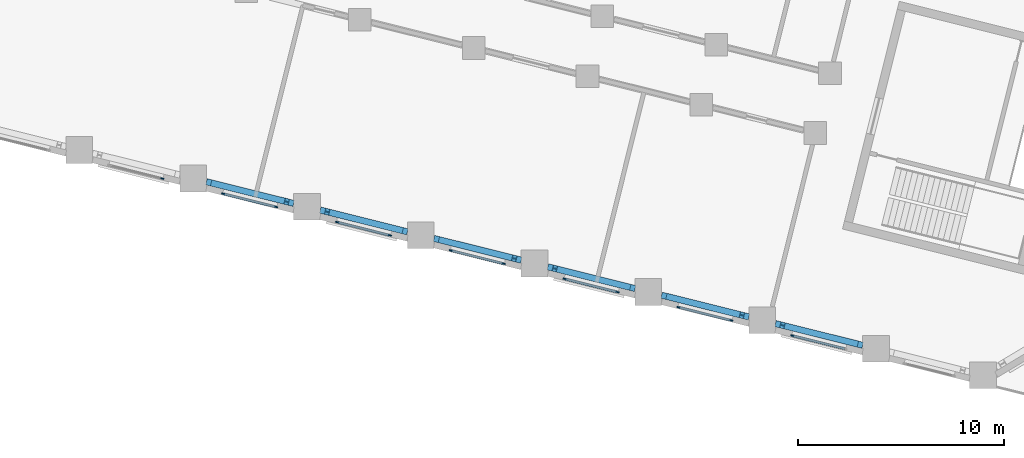
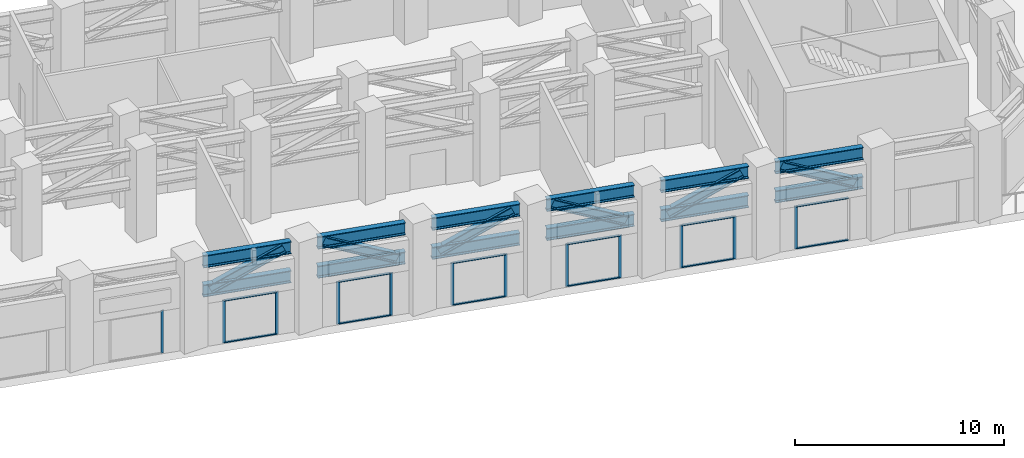
# One storey, part 4 of 21: 30 members, 12 beams, 7 elements without a shape of their own.
"""IFC4 building model written with IfcOpenShell, lengths in metres."""

from ifc_helpers import new_model, si_unit, direction, frame, origin, origin_2d, place, context, subcontext, project, spatial, rectangle, i_section, extrude, material, material_profile, profile_set, type_object, element, aggregate, save


model = new_model("IFC4")

# Units and contexts
model_context = context("Model", 3, precision=1e-05, world=origin(), true_north=direction((0.0, 1.0)))
body_context = subcontext(model_context, "Body", "Model", "MODEL_VIEW")
ifc_project = project(units=[si_unit("LENGTHUNIT", "METRE"), si_unit("AREAUNIT", "SQUARE_METRE"), si_unit("VOLUMEUNIT", "CUBIC_METRE"), si_unit("PLANEANGLEUNIT", "RADIAN"), si_unit("MASSUNIT", "GRAM", prefix="KILO")], contexts=[model_context])

# Site, building, storey
site_placement = place(None, origin())
site = spatial("IfcSite", under=ifc_project, at=site_placement, CompositionType="ELEMENT")
building_placement = place(site_placement, origin())
building = spatial("IfcBuilding", under=site, at=building_placement, Name="Meshkara Civic Tower", CompositionType="ELEMENT")
storey_placement = place(building_placement, frame((0.0, 0.0, 156.0)))
storey = spatial("IfcBuildingStorey", under=building, at=storey_placement, Name="L35", CompositionType="ELEMENT", Elevation=156.0)

# Beams
ifc_material_1 = material(Name="Steel S355", Category="steel")
ifc_material_profile_1 = material_profile(ifc_material_1, i_section(OverallWidth=0.303955078125, OverallDepth=0.716064453125, WebThickness=0.02099609375, FlangeThickness=0.0400390625, FilletRadius=0.027099609375, at=origin_2d()))
ifc_profile_set_1 = profile_set([ifc_material_profile_1], Name="Steel S355")
beam_type = type_object("IfcBeamType", Name="Belt truss chord HEM 700 S355", PredefinedType="BEAM", material=ifc_profile_set_1)
for number, where, z_axis, x_axis, name in (
    (1, (34.088134765625, -8.03564453125, 4.741943359375), (0.97033279054, -0.241773190412, 0.0), (0.241773190412, 0.97033279054, 0.0), "Belt truss chord BBS03-BS04-P1"),
    (2, (34.088134765625, -8.03564453125, 3.0419921875), (0.97033279054, -0.241773190412, 0.0), (0.241773190412, 0.97033279054, 0.0), "Belt truss chord BBS03-BS04-P1"),
):
    element("IfcBeam", number, at=place(storey_placement, frame(where, z_axis=z_axis, x_axis=x_axis)), inside=storey, type_object=beam_type, Name=name, PredefinedType="BEAM", context=body_context, shape_type="SweptSolid", body=[
        extrude(i_section(OverallWidth=0.303955078125, OverallDepth=0.716064453125, WebThickness=0.02099609375, FlangeThickness=0.0400390625, FilletRadius=0.027099609375, at=origin_2d()), origin(), (0.0, 0.0, 1.0), 4.370361328125),
    ])
for number, where, z_axis, x_axis, name in (
    (3, (39.619140625, -9.413818359375, 4.741943359375), (0.970293463154, -0.241930972304, 0.0), (0.241930972304, 0.970293463154, 0.0), "Belt truss chord BBS04-P1-BS05"),
    (4, (39.619140625, -9.413818359375, 3.0419921875), (0.970293463154, -0.241930972304, 0.0), (0.241930972304, 0.970293463154, 0.0), "Belt truss chord BBS04-P1-BS05"),
):
    element("IfcBeam", number, at=place(storey_placement, frame(where, z_axis=z_axis, x_axis=x_axis)), inside=storey, type_object=beam_type, Name=name, PredefinedType="BEAM", context=body_context, shape_type="SweptSolid", body=[
        extrude(i_section(OverallWidth=0.303955078125, OverallDepth=0.716064453125, WebThickness=0.02099609375, FlangeThickness=0.0400390625, FilletRadius=0.027099609375, at=origin_2d()), origin(), (0.0, 0.0, 1.0), 4.37060546875),
    ])
for number, where, z_axis, x_axis, name in (
    (5, (45.150146484375, -10.79296875, 4.741943359375), (0.970293497888, -0.241930832999, 0.0), (0.241930832999, 0.970293497888, 0.0), "Belt truss chord BBS05-BS06"),
    (6, (45.150146484375, -10.79296875, 3.0419921875), (0.970293497888, -0.241930832999, 0.0), (0.241930832999, 0.970293497888, 0.0), "Belt truss chord BBS05-BS06"),
):
    element("IfcBeam", number, at=place(storey_placement, frame(where, z_axis=z_axis, x_axis=x_axis)), inside=storey, type_object=beam_type, Name=name, PredefinedType="BEAM", context=body_context, shape_type="SweptSolid", body=[
        extrude(i_section(OverallWidth=0.303955078125, OverallDepth=0.716064453125, WebThickness=0.02099609375, FlangeThickness=0.0400390625, FilletRadius=0.027099609375, at=origin_2d()), origin(), (0.0, 0.0, 1.0), 4.36962890625),
    ])
for number, where, z_axis, x_axis, name in (
    (7, (50.68017578125, -12.171875, 4.741943359375), (0.970293463154, -0.241930972304, 0.0), (0.241930972304, 0.970293463154, 0.0), "Belt truss chord BBS06-BS07"),
    (8, (50.68017578125, -12.171875, 3.0419921875), (0.970293463154, -0.241930972304, 0.0), (0.241930972304, 0.970293463154, 0.0), "Belt truss chord BBS06-BS07"),
    (9, (56.211181640625, -13.55078125, 4.741943359375), (0.970293463154, -0.241930972304, 0.0), (0.241930972304, 0.970293463154, 0.0), "Belt truss chord BBS07-BS08"),
    (10, (56.211181640625, -13.55078125, 3.0419921875), (0.970293463154, -0.241930972304, 0.0), (0.241930972304, 0.970293463154, 0.0), "Belt truss chord BBS07-BS08"),
):
    element("IfcBeam", number, at=place(storey_placement, frame(where, z_axis=z_axis, x_axis=x_axis)), inside=storey, type_object=beam_type, Name=name, PredefinedType="BEAM", context=body_context, shape_type="SweptSolid", body=[
        extrude(i_section(OverallWidth=0.303955078125, OverallDepth=0.716064453125, WebThickness=0.02099609375, FlangeThickness=0.0400390625, FilletRadius=0.027099609375, at=origin_2d()), origin(), (0.0, 0.0, 1.0), 4.37060546875),
    ])
for number, where, z_axis, x_axis, name in (
    (11, (61.7421875, -14.929931640625, 4.741943359375), (0.970293497888, -0.241930832999, 0.0), (0.241930832999, 0.970293497888, 0.0), "Belt truss chord BBS08-BS09"),
    (12, (61.7421875, -14.929931640625, 3.0419921875), (0.970293497888, -0.241930832999, 0.0), (0.241930832999, 0.970293497888, 0.0), "Belt truss chord BBS08-BS09"),
):
    element("IfcBeam", number, at=place(storey_placement, frame(where, z_axis=z_axis, x_axis=x_axis)), inside=storey, type_object=beam_type, Name=name, PredefinedType="BEAM", context=body_context, shape_type="SweptSolid", body=[
        extrude(i_section(OverallWidth=0.303955078125, OverallDepth=0.716064453125, WebThickness=0.02099609375, FlangeThickness=0.0400390625, FilletRadius=0.027099609375, at=origin_2d()), origin(), (0.0, 0.0, 1.0), 4.36962890625),
    ])

# Curtain wall, member
ifc_material_2 = material(Name="Tinted double glazing", Category="glass")
curtain_wall_type = type_object("IfcCurtainWallType", Name="CW SKY LOBBY BAND", PredefinedType="NOTDEFINED", material=ifc_material_2)
curtain_wall_1_placement = place(storey_placement, origin())
curtain_wall_1 = element("IfcCurtainWall", 13, at=curtain_wall_1_placement, inside=storey, type_object=curtain_wall_type, Name="Curtain wall CW2", PredefinedType="NOTDEFINED")
ifc_material_3 = material(Name="Bronze anodised aluminium", Category="aluminium")
ifc_material_profile_2 = material_profile(ifc_material_3, rectangle(XDim=0.06005859375, YDim=0.159912109375, at=origin_2d()))
ifc_profile_set_2 = profile_set([ifc_material_profile_2], Name="Bronze anodised aluminium")
member_type_1 = type_object("IfcMemberType", Name="CW MULLION 60x160", PredefinedType="MULLION", material=ifc_profile_set_2)
member_1_placement = place(storey_placement, frame((31.94580078125, -7.8828125, 0.0), z_axis=(0.0, 0.0, 1.0), x_axis=(0.242101415994, 0.970250949174, 0.0)))
member_1 = element("IfcMember", 14, at=member_1_placement, type_object=member_type_1, Name="CW2 mullion 2", PredefinedType="MULLION", context=body_context, shape_type="SweptSolid", body=[
    extrude(rectangle(XDim=0.06005859375, YDim=0.159912109375, at=origin_2d()), origin(), (0.0, 0.0, 1.0), 2.5),
])
aggregate(curtain_wall_1, [member_1])

# Curtain wall, members
curtain_wall_2_placement = place(storey_placement, origin())
curtain_wall_2 = element("IfcCurtainWall", 15, at=curtain_wall_2_placement, inside=storey, type_object=curtain_wall_type, Name="Curtain wall CW2", PredefinedType="NOTDEFINED")
member_2_placement = place(storey_placement, frame((34.906005859375, -8.620361328125, 0.0), z_axis=(0.0, 0.0, 1.0), x_axis=(0.242101415994, 0.970250949174, 0.0)))
member_2 = element("IfcMember", 16, at=member_2_placement, type_object=member_type_1, Name="CW2 mullion 1", PredefinedType="MULLION", context=body_context, shape_type="SweptSolid", body=[
    extrude(rectangle(XDim=0.06005859375, YDim=0.159912109375, at=origin_2d()), origin(), (0.0, 0.0, 1.0), 2.5),
])
member_3_placement = place(storey_placement, frame((37.476806640625, -9.26171875, 0.0), z_axis=(0.0, 0.0, 1.0), x_axis=(0.242101415994, 0.970250949174, 0.0)))
member_3 = element("IfcMember", 17, at=member_3_placement, type_object=member_type_1, Name="CW2 mullion 2", PredefinedType="MULLION", context=body_context, shape_type="SweptSolid", body=[
    extrude(rectangle(XDim=0.06005859375, YDim=0.159912109375, at=origin_2d()), origin(), (0.0, 0.0, 1.0), 2.5),
])

curtain_wall_3_placement = place(storey_placement, origin())
curtain_wall_3 = element("IfcCurtainWall", 18, at=curtain_wall_3_placement, inside=storey, type_object=curtain_wall_type, Name="Curtain wall CW2", PredefinedType="NOTDEFINED")
member_4_placement = place(storey_placement, frame((40.43701171875, -9.999267578125, 0.0), z_axis=(0.0, 0.0, 1.0), x_axis=(0.242101415994, 0.970250949174, 0.0)))
member_4 = element("IfcMember", 19, at=member_4_placement, type_object=member_type_1, Name="CW2 mullion 1", PredefinedType="MULLION", context=body_context, shape_type="SweptSolid", body=[
    extrude(rectangle(XDim=0.06005859375, YDim=0.159912109375, at=origin_2d()), origin(), (0.0, 0.0, 1.0), 2.5),
])
member_5_placement = place(storey_placement, frame((43.0078125, -10.640625, 0.0), z_axis=(0.0, 0.0, 1.0), x_axis=(0.242101415994, 0.970250949174, 0.0)))
member_5 = element("IfcMember", 20, at=member_5_placement, type_object=member_type_1, Name="CW2 mullion 2", PredefinedType="MULLION", context=body_context, shape_type="SweptSolid", body=[
    extrude(rectangle(XDim=0.06005859375, YDim=0.159912109375, at=origin_2d()), origin(), (0.0, 0.0, 1.0), 2.5),
])

curtain_wall_4_placement = place(storey_placement, origin())
curtain_wall_4 = element("IfcCurtainWall", 21, at=curtain_wall_4_placement, inside=storey, type_object=curtain_wall_type, Name="Curtain wall CW2", PredefinedType="NOTDEFINED")
member_6_placement = place(storey_placement, frame((45.968017578125, -11.378173828125, 0.0), z_axis=(0.0, 0.0, 1.0), x_axis=(0.242188137263, 0.970229305973, 0.0)))
member_6 = element("IfcMember", 22, at=member_6_placement, type_object=member_type_1, Name="CW2 mullion 1", PredefinedType="MULLION", context=body_context, shape_type="SweptSolid", body=[
    extrude(rectangle(XDim=0.06005859375, YDim=0.159912109375, at=origin_2d()), origin(), (0.0, 0.0, 1.0), 2.5),
])
member_7_placement = place(storey_placement, frame((48.537841796875, -12.019775390625, 0.0), z_axis=(0.0, 0.0, 1.0), x_axis=(0.242188137263, 0.970229305973, 0.0)))
member_7 = element("IfcMember", 23, at=member_7_placement, type_object=member_type_1, Name="CW2 mullion 2", PredefinedType="MULLION", context=body_context, shape_type="SweptSolid", body=[
    extrude(rectangle(XDim=0.06005859375, YDim=0.159912109375, at=origin_2d()), origin(), (0.0, 0.0, 1.0), 2.5),
])

curtain_wall_5_placement = place(storey_placement, origin())
curtain_wall_5 = element("IfcCurtainWall", 24, at=curtain_wall_5_placement, inside=storey, type_object=curtain_wall_type, Name="Curtain wall CW2", PredefinedType="NOTDEFINED")
member_8_placement = place(storey_placement, frame((51.498046875, -12.75732421875, 0.0), z_axis=(0.0, 0.0, 1.0), x_axis=(0.241753943988, 0.970337585877, 0.0)))
member_8 = element("IfcMember", 25, at=member_8_placement, type_object=member_type_1, Name="CW2 mullion 1", PredefinedType="MULLION", context=body_context, shape_type="SweptSolid", body=[
    extrude(rectangle(XDim=0.06005859375, YDim=0.159912109375, at=origin_2d()), origin(), (0.0, 0.0, 1.0), 2.5),
])
member_9_placement = place(storey_placement, frame((54.06884765625, -13.397705078125, 0.0), z_axis=(0.0, 0.0, 1.0), x_axis=(0.241753943988, 0.970337585877, 0.0)))
member_9 = element("IfcMember", 26, at=member_9_placement, type_object=member_type_1, Name="CW2 mullion 2", PredefinedType="MULLION", context=body_context, shape_type="SweptSolid", body=[
    extrude(rectangle(XDim=0.06005859375, YDim=0.159912109375, at=origin_2d()), origin(), (0.0, 0.0, 1.0), 2.5),
])

curtain_wall_6_placement = place(storey_placement, origin())
curtain_wall_6 = element("IfcCurtainWall", 27, at=curtain_wall_6_placement, inside=storey, type_object=curtain_wall_type, Name="Curtain wall CW2", PredefinedType="NOTDEFINED")
member_10_placement = place(storey_placement, frame((57.029052734375, -14.13623046875, 0.0), z_axis=(0.0, 0.0, 1.0), x_axis=(0.241753943988, 0.970337585877, 0.0)))
member_10 = element("IfcMember", 28, at=member_10_placement, type_object=member_type_1, Name="CW2 mullion 1", PredefinedType="MULLION", context=body_context, shape_type="SweptSolid", body=[
    extrude(rectangle(XDim=0.06005859375, YDim=0.159912109375, at=origin_2d()), origin(), (0.0, 0.0, 1.0), 2.5),
])
member_11_placement = place(storey_placement, frame((59.599853515625, -14.77685546875, 0.0), z_axis=(0.0, 0.0, 1.0), x_axis=(0.241753943988, 0.970337585877, 0.0)))
member_11 = element("IfcMember", 29, at=member_11_placement, type_object=member_type_1, Name="CW2 mullion 2", PredefinedType="MULLION", context=body_context, shape_type="SweptSolid", body=[
    extrude(rectangle(XDim=0.06005859375, YDim=0.159912109375, at=origin_2d()), origin(), (0.0, 0.0, 1.0), 2.5),
])

# Curtain wall, member
curtain_wall_7_placement = place(storey_placement, origin())
curtain_wall_7 = element("IfcCurtainWall", 30, at=curtain_wall_7_placement, inside=storey, type_object=curtain_wall_type, Name="Curtain wall CW2", PredefinedType="NOTDEFINED")
member_12_placement = place(storey_placement, frame((62.56005859375, -15.51513671875, 0.0), z_axis=(0.0, 0.0, 1.0), x_axis=(0.241840556268, 0.970316002828, 0.0)))
member_12 = element("IfcMember", 31, at=member_12_placement, type_object=member_type_1, Name="CW2 mullion 1", PredefinedType="MULLION", context=body_context, shape_type="SweptSolid", body=[
    extrude(rectangle(XDim=0.06005859375, YDim=0.159912109375, at=origin_2d()), origin(), (0.0, 0.0, 1.0), 2.5),
])

# Member
ifc_material_4 = material(Name="Bronze anodised aluminium", Category="aluminium")
ifc_material_profile_3 = material_profile(ifc_material_4, rectangle(XDim=0.1201171875, YDim=0.06005859375, at=origin_2d()))
ifc_profile_set_3 = profile_set([ifc_material_profile_3], Name="Bronze anodised aluminium")
member_type_2 = type_object("IfcMemberType", Name="CW TRANSOM 60x120", PredefinedType="USERDEFINED", material=ifc_profile_set_3)
member_13_placement = place(storey_placement, frame((34.935302734375, -8.62744140625, 0.030029296875), z_axis=(0.970247781684, -0.242114109743, 0.0), x_axis=(0.242114109743, 0.970247781684, 0.0)))
member_13 = element("IfcMember", 32, at=member_13_placement, type_object=member_type_2, Name="CW2 transom 1.1", ObjectType="TRANSOM", PredefinedType="USERDEFINED", context=body_context, shape_type="SweptSolid", body=[
    extrude(rectangle(XDim=0.1201171875, YDim=0.06005859375, at=origin_2d()), origin(), (0.0, 0.0, 1.0), 2.589599609375),
])

member_14_placement = place(storey_placement, frame((34.935302734375, -8.62744140625, 2.469970703125), z_axis=(0.970247781684, -0.242114109743, 0.0), x_axis=(0.242114109743, 0.970247781684, 0.0)))
member_14 = element("IfcMember", 33, at=member_14_placement, type_object=member_type_2, Name="CW2 transom 1.2", ObjectType="TRANSOM", PredefinedType="USERDEFINED", context=body_context, shape_type="SweptSolid", body=[
    extrude(rectangle(XDim=0.1201171875, YDim=0.06005859375, at=origin_2d()), origin(), (0.0, 0.0, 1.0), 2.589599609375),
])

aggregate(curtain_wall_2, [member_2, member_3, member_13, member_14])

member_15_placement = place(storey_placement, frame((40.46630859375, -10.006591796875, 0.030029296875), z_axis=(0.970247781684, -0.242114109743, 0.0), x_axis=(0.242114109743, 0.970247781684, 0.0)))
member_15 = element("IfcMember", 34, at=member_15_placement, type_object=member_type_2, Name="CW2 transom 1.1", ObjectType="TRANSOM", PredefinedType="USERDEFINED", context=body_context, shape_type="SweptSolid", body=[
    extrude(rectangle(XDim=0.1201171875, YDim=0.06005859375, at=origin_2d()), origin(), (0.0, 0.0, 1.0), 2.589599609375),
])

member_16_placement = place(storey_placement, frame((40.46630859375, -10.006591796875, 2.469970703125), z_axis=(0.970247781684, -0.242114109743, 0.0), x_axis=(0.242114109743, 0.970247781684, 0.0)))
member_16 = element("IfcMember", 35, at=member_16_placement, type_object=member_type_2, Name="CW2 transom 1.2", ObjectType="TRANSOM", PredefinedType="USERDEFINED", context=body_context, shape_type="SweptSolid", body=[
    extrude(rectangle(XDim=0.1201171875, YDim=0.06005859375, at=origin_2d()), origin(), (0.0, 0.0, 1.0), 2.589599609375),
])

aggregate(curtain_wall_3, [member_4, member_5, member_15, member_16])

member_17_placement = place(storey_placement, frame((45.997314453125, -11.385498046875, 0.030029296875), z_axis=(0.970225662776, -0.242202731798, 0.0), x_axis=(0.242202731798, 0.970225662776, 0.0)))
member_17 = element("IfcMember", 36, at=member_17_placement, type_object=member_type_2, Name="CW2 transom 1.1", ObjectType="TRANSOM", PredefinedType="USERDEFINED", context=body_context, shape_type="SweptSolid", body=[
    extrude(rectangle(XDim=0.1201171875, YDim=0.06005859375, at=origin_2d()), origin(), (0.0, 0.0, 1.0), 2.588623046875),
])

member_18_placement = place(storey_placement, frame((45.997314453125, -11.385498046875, 2.469970703125), z_axis=(0.970225662776, -0.242202731798, 0.0), x_axis=(0.242202731798, 0.970225662776, 0.0)))
member_18 = element("IfcMember", 37, at=member_18_placement, type_object=member_type_2, Name="CW2 transom 1.2", ObjectType="TRANSOM", PredefinedType="USERDEFINED", context=body_context, shape_type="SweptSolid", body=[
    extrude(rectangle(XDim=0.1201171875, YDim=0.06005859375, at=origin_2d()), origin(), (0.0, 0.0, 1.0), 2.588623046875),
])

aggregate(curtain_wall_4, [member_6, member_7, member_17, member_18])

member_19_placement = place(storey_placement, frame((51.527099609375, -12.764404296875, 0.030029296875), z_axis=(0.970341825684, -0.24173692587, 0.0), x_axis=(0.24173692587, 0.970341825684, 0.0)))
member_19 = element("IfcMember", 38, at=member_19_placement, type_object=member_type_2, Name="CW2 transom 1.1", ObjectType="TRANSOM", PredefinedType="USERDEFINED", context=body_context, shape_type="SweptSolid", body=[
    extrude(rectangle(XDim=0.1201171875, YDim=0.06005859375, at=origin_2d()), origin(), (0.0, 0.0, 1.0), 2.589599609375),
])

member_20_placement = place(storey_placement, frame((51.527099609375, -12.764404296875, 2.469970703125), z_axis=(0.970341825684, -0.24173692587, 0.0), x_axis=(0.24173692587, 0.970341825684, 0.0)))
member_20 = element("IfcMember", 39, at=member_20_placement, type_object=member_type_2, Name="CW2 transom 1.2", ObjectType="TRANSOM", PredefinedType="USERDEFINED", context=body_context, shape_type="SweptSolid", body=[
    extrude(rectangle(XDim=0.1201171875, YDim=0.06005859375, at=origin_2d()), origin(), (0.0, 0.0, 1.0), 2.589599609375),
])

aggregate(curtain_wall_5, [member_8, member_9, member_19, member_20])

member_21_placement = place(storey_placement, frame((57.05810546875, -14.1435546875, 0.030029296875), z_axis=(0.970341825684, -0.24173692587, 0.0), x_axis=(0.24173692587, 0.970341825684, 0.0)))
member_21 = element("IfcMember", 40, at=member_21_placement, type_object=member_type_2, Name="CW2 transom 1.1", ObjectType="TRANSOM", PredefinedType="USERDEFINED", context=body_context, shape_type="SweptSolid", body=[
    extrude(rectangle(XDim=0.1201171875, YDim=0.06005859375, at=origin_2d()), origin(), (0.0, 0.0, 1.0), 2.589599609375),
])

member_22_placement = place(storey_placement, frame((57.05810546875, -14.1435546875, 2.469970703125), z_axis=(0.970341825684, -0.24173692587, 0.0), x_axis=(0.24173692587, 0.970341825684, 0.0)))
member_22 = element("IfcMember", 41, at=member_22_placement, type_object=member_type_2, Name="CW2 transom 1.2", ObjectType="TRANSOM", PredefinedType="USERDEFINED", context=body_context, shape_type="SweptSolid", body=[
    extrude(rectangle(XDim=0.1201171875, YDim=0.06005859375, at=origin_2d()), origin(), (0.0, 0.0, 1.0), 2.589599609375),
])

aggregate(curtain_wall_6, [member_10, member_11, member_21, member_22])

member_23_placement = place(storey_placement, frame((62.589111328125, -15.5224609375, 0.030029296875), z_axis=(0.970319775643, -0.241825418424, 0.0), x_axis=(0.241825418424, 0.970319775643, 0.0)))
member_23 = element("IfcMember", 42, at=member_23_placement, type_object=member_type_2, Name="CW2 transom 1.1", ObjectType="TRANSOM", PredefinedType="USERDEFINED", context=body_context, shape_type="SweptSolid", body=[
    extrude(rectangle(XDim=0.1201171875, YDim=0.06005859375, at=origin_2d()), origin(), (0.0, 0.0, 1.0), 2.588623046875),
])

member_24_placement = place(storey_placement, frame((62.589111328125, -15.5224609375, 2.469970703125), z_axis=(0.970319775643, -0.241825418424, 0.0), x_axis=(0.241825418424, 0.970319775643, 0.0)))
member_24 = element("IfcMember", 43, at=member_24_placement, type_object=member_type_2, Name="CW2 transom 1.2", ObjectType="TRANSOM", PredefinedType="USERDEFINED", context=body_context, shape_type="SweptSolid", body=[
    extrude(rectangle(XDim=0.1201171875, YDim=0.06005859375, at=origin_2d()), origin(), (0.0, 0.0, 1.0), 2.588623046875),
])

aggregate(curtain_wall_7, [member_12, member_23, member_24])

# Members
ifc_material_5 = material(Name="Steel S355", Category="steel")
ifc_material_profile_4 = material_profile(ifc_material_5, i_section(OverallWidth=0.305908203125, OverallDepth=0.52392578125, WebThickness=0.02392578125, FlangeThickness=0.0400390625, FilletRadius=0.027099609375, at=origin_2d()))
ifc_profile_set_4 = profile_set([ifc_material_profile_4], Name="Steel S355")
member_type_3 = type_object("IfcMemberType", Name="Truss diagonal HEM 500 S355", PredefinedType="BRACE", material=ifc_profile_set_4)
member_25_placement = place(storey_placement, frame((34.427734375, -8.120361328125, 3.0419921875), z_axis=(0.88048014409, -0.219395758416, 0.420262081389), x_axis=(0.241784316964, 0.970330018123, 0.0)))
element("IfcMember", 44, at=member_25_placement, inside=storey, type_object=member_type_3, Name="TD-BBS03-BS04-P1-L35", PredefinedType="BRACE", context=body_context, shape_type="SweptSolid", body=[
    extrude(i_section(OverallWidth=0.305908203125, OverallDepth=0.52392578125, WebThickness=0.02392578125, FlangeThickness=0.0400390625, FilletRadius=0.027099609375, at=origin_2d()), origin(), (0.0, 0.0, 1.0), 4.044921875),
])
member_26_placement = place(storey_placement, frame((39.958740234375, -9.49853515625, 4.741943359375), z_axis=(0.880456820048, -0.219510656328, -0.420250948588), x_axis=(0.24190956522, 0.970298800502, 0.0)))
element("IfcMember", 45, at=member_26_placement, inside=storey, type_object=member_type_3, Name="TD-BBS04-P1-BS05-L35", PredefinedType="BRACE", context=body_context, shape_type="SweptSolid", body=[
    extrude(i_section(OverallWidth=0.305908203125, OverallDepth=0.52392578125, WebThickness=0.02392578125, FlangeThickness=0.0400390625, FilletRadius=0.027099609375, at=origin_2d()), origin(), (0.0, 0.0, 1.0), 4.045166015625),
])
member_27_placement = place(storey_placement, frame((45.48974609375, -10.877685546875, 3.0419921875), z_axis=(0.880414200293, -0.219499865076, 0.42034586373), x_axis=(0.241909393467, 0.970298843322, 0.0)))
element("IfcMember", 46, at=member_27_placement, inside=storey, type_object=member_type_3, Name="TD-BBS05-BS06-L35", PredefinedType="BRACE", context=body_context, shape_type="SweptSolid", body=[
    extrude(i_section(OverallWidth=0.305908203125, OverallDepth=0.52392578125, WebThickness=0.02392578125, FlangeThickness=0.0400390625, FilletRadius=0.027099609375, at=origin_2d()), origin(), (0.0, 0.0, 1.0), 4.044189453125),
])
for number, where, z_axis, x_axis, name in (
    (47, (51.019775390625, -12.256591796875, 4.741943359375), (0.880456820048, -0.219510656328, -0.420250948588), (0.24190956522, 0.970298800502, 0.0), "TD-BBS06-BS07-L35"),
    (48, (56.55078125, -13.635498046875, 3.0419921875), (0.880456820048, -0.219510656328, 0.420250948588), (0.24190956522, 0.970298800502, 0.0), "TD-BBS07-BS08-L35"),
):
    element("IfcMember", number, at=place(storey_placement, frame(where, z_axis=z_axis, x_axis=x_axis)), inside=storey, type_object=member_type_3, Name=name, PredefinedType="BRACE", context=body_context, shape_type="SweptSolid", body=[
        extrude(i_section(OverallWidth=0.305908203125, OverallDepth=0.52392578125, WebThickness=0.02392578125, FlangeThickness=0.0400390625, FilletRadius=0.027099609375, at=origin_2d()), origin(), (0.0, 0.0, 1.0), 4.045166015625),
    ])
member_28_placement = place(storey_placement, frame((62.081787109375, -15.0146484375, 4.741943359375), z_axis=(0.880414200293, -0.219499865076, -0.42034586373), x_axis=(0.241909393467, 0.970298843322, 0.0)))
element("IfcMember", 49, at=member_28_placement, inside=storey, type_object=member_type_3, Name="TD-BBS08-BS09-L35", PredefinedType="BRACE", context=body_context, shape_type="SweptSolid", body=[
    extrude(i_section(OverallWidth=0.305908203125, OverallDepth=0.52392578125, WebThickness=0.02392578125, FlangeThickness=0.0400390625, FilletRadius=0.027099609375, at=origin_2d()), origin(), (0.0, 0.0, 1.0), 4.044189453125),
])

save(model, "model.ifc")
